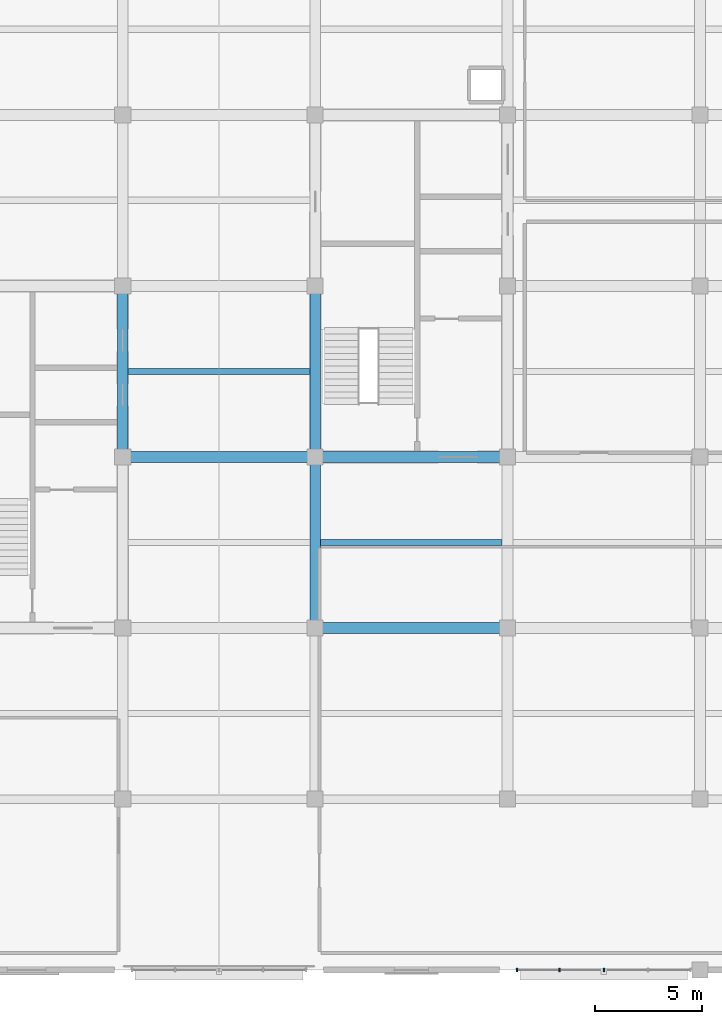
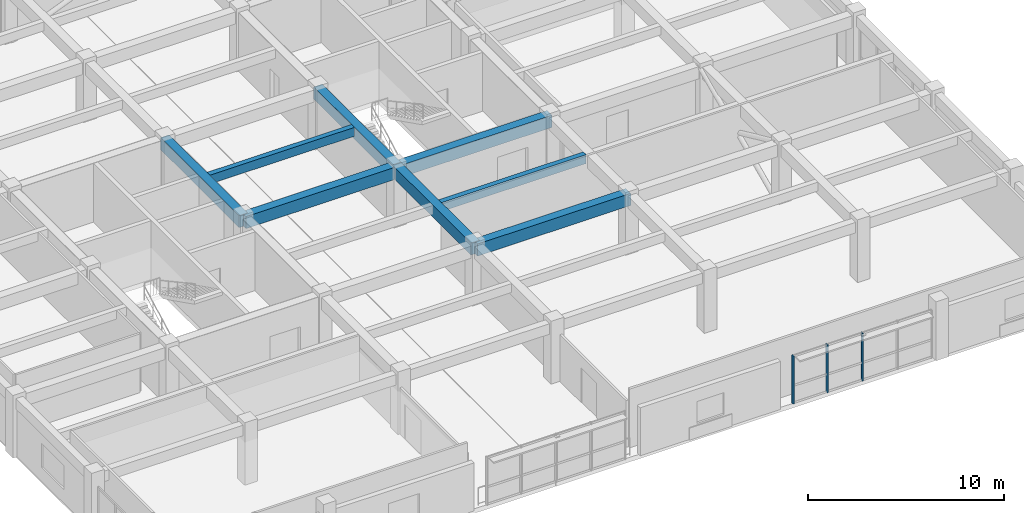
# One storey, part 5 of 15: 8 beams, 3 members, 1 element without a shape of its own.
"""IFC4 building model written with IfcOpenShell, lengths in metres."""

from ifc_helpers import new_model, si_unit, direction, frame, origin, origin_2d, place, context, subcontext, project, spatial, rectangle, extrude, material, material_profile, profile_set, type_object, element, aggregate, save


model = new_model("IFC4")

# Units and contexts
model_context = context("Model", 3, precision=1e-05, world=origin(), true_north=direction((0.0, 1.0)))
body_context = subcontext(model_context, "Body", "Model", "MODEL_VIEW")
ifc_project = project(units=[si_unit("LENGTHUNIT", "METRE"), si_unit("AREAUNIT", "SQUARE_METRE"), si_unit("VOLUMEUNIT", "CUBIC_METRE"), si_unit("PLANEANGLEUNIT", "RADIAN"), si_unit("MASSUNIT", "GRAM", prefix="KILO")], contexts=[model_context])

# Site, building, storey
site_placement = place(None, origin())
site = spatial("IfcSite", under=ifc_project, at=site_placement, CompositionType="ELEMENT")
building_placement = place(site_placement, origin())
building = spatial("IfcBuilding", under=site, at=building_placement, Name="Zaverband Oceanarium and Marine Research Institute", CompositionType="ELEMENT")
storey_placement = place(building_placement, frame((0.0, 0.0, 53.10009765625)))
storey = spatial("IfcBuildingStorey", under=building, at=storey_placement, Name="L13", CompositionType="ELEMENT", Elevation=53.10009765625)

# Beams
ifc_material_1 = material(Name="Concrete C40/50", Category="concrete")
ifc_material_profile_1 = material_profile(ifc_material_1, rectangle(XDim=0.5, YDim=0.75, at=origin_2d()), Name="RC500x750")
ifc_profile_set_1 = profile_set([ifc_material_profile_1], Name="Concrete C40/50")
beam_type_1 = type_object("IfcBeamType", Name="BM-500x750", PredefinedType="BEAM", material=ifc_profile_set_1)
for number, where, z_axis, x_axis, name in (
    (1, (36.0, 80.0, 3.27490234375), (1.0, 0.0, 0.0), (0.0, 1.0, 0.0), "Primary floor girder BM-500x750"),
    (2, (27.0, 88.0, 3.27490234375), (1.0, 0.0, 0.0), (0.0, 1.0, 0.0), "Primary floor girder BM-500x750"),
    (3, (36.0, 88.0, 3.27490234375), (1.0, 0.0, 0.0), (0.0, 1.0, 0.0), "Primary floor girder BM-500x750"),
):
    element("IfcBeam", number, at=place(storey_placement, frame(where, z_axis=z_axis, x_axis=x_axis)), inside=storey, type_object=beam_type_1, Name=name, PredefinedType="BEAM", context=body_context, shape_type="SweptSolid", body=[
        extrude(rectangle(XDim=0.5, YDim=0.75, at=origin_2d()), origin(), (0.0, 0.0, 1.0), 9.0),
    ])
for number, where, z_axis, x_axis, name in (
    (4, (27.0, 88.0, 3.27490234375), (0.0, 1.0, 0.0), (-1.0, 0.0, 0.0), "Primary floor girder BM-500x750"),
    (5, (36.0, 80.0, 3.27490234375), (0.0, 1.0, 0.0), (-1.0, 0.0, 0.0), "Primary floor girder BM-500x750"),
    (6, (36.0, 88.0, 3.27490234375), (0.0, 1.0, 0.0), (-1.0, 0.0, 0.0), "Primary floor girder BM-500x750"),
):
    element("IfcBeam", number, at=place(storey_placement, frame(where, z_axis=z_axis, x_axis=x_axis)), inside=storey, type_object=beam_type_1, Name=name, PredefinedType="BEAM", context=body_context, shape_type="SweptSolid", body=[
        extrude(rectangle(XDim=0.5, YDim=0.75, at=origin_2d()), origin(), (0.0, 0.0, 1.0), 8.0),
    ])
ifc_material_profile_2 = material_profile(ifc_material_1, rectangle(XDim=0.300048828125, YDim=0.550048828125, at=origin_2d()), Name="RC300x550")
ifc_profile_set_2 = profile_set([ifc_material_profile_2], Name="Concrete C40/50")
beam_type_2 = type_object("IfcBeamType", Name="JST-300x550", PredefinedType="JOIST", material=ifc_profile_set_2)
for number, where, z_axis, x_axis, name in (
    (7, (27.25, 92.0, 3.375), (1.0, 0.0, 0.0), (0.0, 1.0, 0.0), "Secondary floor joist JST-300x550"),
    (8, (36.25, 84.0, 3.375), (1.0, 0.0, 0.0), (0.0, 1.0, 0.0), "Secondary floor joist JST-300x550"),
):
    element("IfcBeam", number, at=place(storey_placement, frame(where, z_axis=z_axis, x_axis=x_axis)), inside=storey, type_object=beam_type_2, Name=name, PredefinedType="JOIST", context=body_context, shape_type="SweptSolid", body=[
        extrude(rectangle(XDim=0.300048828125, YDim=0.550048828125, at=origin_2d()), origin(), (0.0, 0.0, 1.0), 8.5),
    ])

# Curtain wall, members
ifc_material_2 = material(Name="Thermally broken anodized aluminium and solar-control glass", Category="aluminium")
curtain_wall_type = type_object("IfcCurtainWallType", Name="CW-UNIT-1800", PredefinedType="NOTDEFINED", material=ifc_material_2)
curtain_wall_placement = place(storey_placement, origin())
curtain_wall = element("IfcCurtainWall", 9, at=curtain_wall_placement, inside=storey, type_object=curtain_wall_type, Name="Unitised glazed curtain wall CW-141", PredefinedType="NOTDEFINED")
ifc_material_3 = material(Name="Thermally broken anodized aluminium", Category="aluminium")
ifc_material_profile_3 = material_profile(ifc_material_3, rectangle(XDim=0.070068359375, YDim=0.14990234375, at=origin_2d()), Name="AL-MUL-70x150")
ifc_profile_set_3 = profile_set([ifc_material_profile_3], Name="Thermally broken anodized aluminium")
member_type = type_object("IfcMemberType", Name="MUL-70x150", PredefinedType="MULLION", material=ifc_profile_set_3)
member_1_placement = place(storey_placement, frame((45.43994140625, 64.0, 0.0), z_axis=(0.0, 0.0, 1.0), x_axis=(1.0, 0.0, 0.0)))
member_1 = element("IfcMember", 10, at=member_1_placement, type_object=member_type, Name="Curtain wall vertical mullion MUL-70x150", PredefinedType="MULLION", context=body_context, shape_type="SweptSolid", body=[
    extrude(rectangle(XDim=0.070068359375, YDim=0.14990234375, at=origin_2d()), origin(), (0.0, 0.0, 1.0), 2.97998046875),
])
member_2_placement = place(storey_placement, frame((47.43994140625, 64.0, 0.0), z_axis=(0.0, 0.0, 1.0), x_axis=(1.0, 0.0, 0.0)))
member_2 = element("IfcMember", 11, at=member_2_placement, type_object=member_type, Name="Curtain wall vertical mullion MUL-70x150", PredefinedType="MULLION", context=body_context, shape_type="SweptSolid", body=[
    extrude(rectangle(XDim=0.070068359375, YDim=0.14990234375, at=origin_2d()), origin(), (0.0, 0.0, 1.0), 2.97998046875),
])
member_3_placement = place(storey_placement, frame((49.5, 64.0, 0.0), z_axis=(0.0, 0.0, 1.0), x_axis=(1.0, 0.0, 0.0)))
member_3 = element("IfcMember", 12, at=member_3_placement, type_object=member_type, Name="Curtain wall vertical mullion MUL-70x150", PredefinedType="MULLION", context=body_context, shape_type="SweptSolid", body=[
    extrude(rectangle(XDim=0.070068359375, YDim=0.14990234375, at=origin_2d()), origin(), (0.0, 0.0, 1.0), 2.97998046875),
])
aggregate(curtain_wall, [member_1, member_2, member_3])

save(model, "model.ifc")
